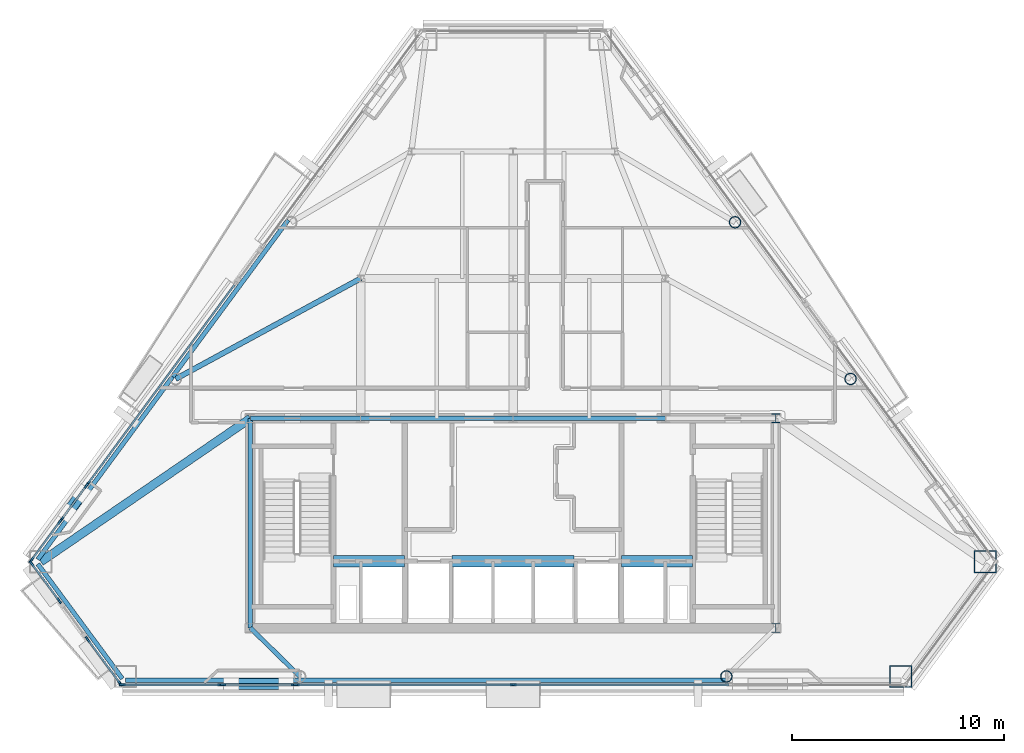
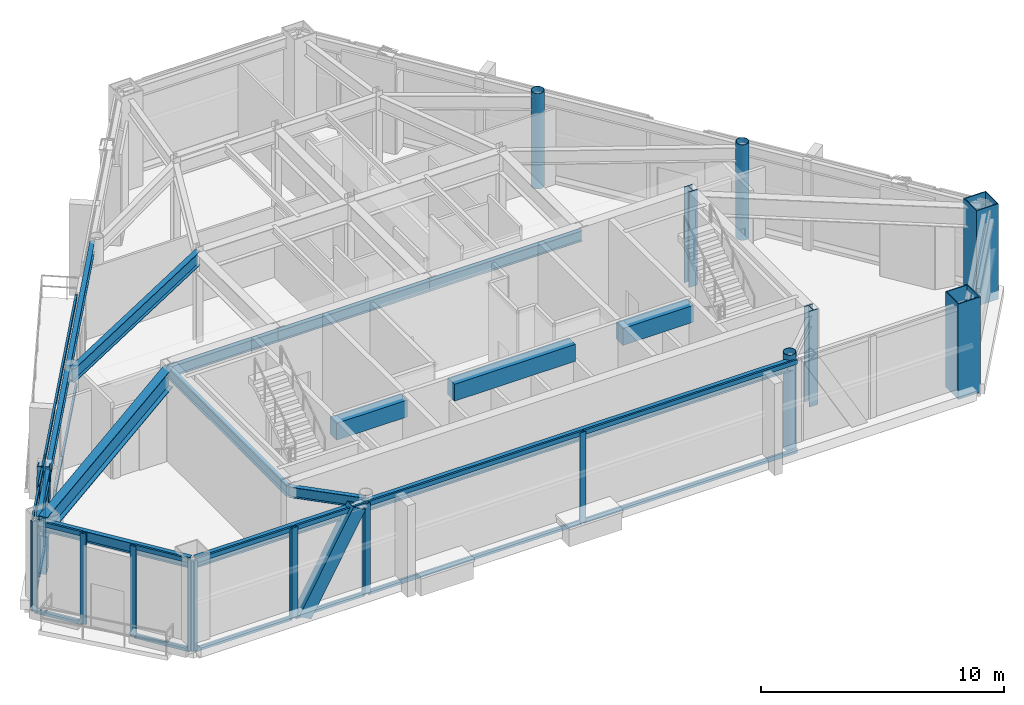
# One storey, part 2 of 10: 35 members, 15 beams, 7 columns, 8 elements without a shape of their own.
"""IFC4 building model written with IfcOpenShell, lengths in metres."""

from ifc_helpers import new_model, si_unit, direction, frame, origin, origin_2d, place, context, subcontext, project, spatial, rectangle, hollow_rectangle, hollow_circle, i_section, extrude, material, layer, layer_set, material_profile, profile_set, type_object, element, aggregate, save


model = new_model("IFC4")

# Units and contexts
model_context = context("Model", 3, precision=1e-05, world=origin(), true_north=direction((0.0, 1.0)))
body_context = subcontext(model_context, "Body", "Model", "MODEL_VIEW")
ifc_project = project(units=[si_unit("LENGTHUNIT", "METRE"), si_unit("AREAUNIT", "SQUARE_METRE"), si_unit("VOLUMEUNIT", "CUBIC_METRE"), si_unit("PLANEANGLEUNIT", "RADIAN"), si_unit("MASSUNIT", "GRAM", prefix="KILO")], contexts=[model_context])

# Site, building, storey
site_placement = place(None, origin())
site = spatial("IfcSite", under=ifc_project, at=site_placement, CompositionType="ELEMENT")
building_placement = place(site_placement, origin())
building = spatial("IfcBuilding", under=site, at=building_placement, Name="Talgorran Terracotta Tower", CompositionType="ELEMENT")
storey_placement = place(building_placement, frame((0.0, 0.0, 173.699951171875)))
storey = spatial("IfcBuildingStorey", under=building, at=storey_placement, Name="L45", CompositionType="ELEMENT", Elevation=173.699951171875)

# Columns
ifc_material_1 = material(Name="Steel S355 (300PLUS)", Category="steel")
ifc_material_profile_1 = material_profile(ifc_material_1, i_section(OverallWidth=0.39990234375, OverallDepth=0.43994140625, WebThickness=0.028076171875, FlangeThickness=0.0400390625, at=origin_2d()), Name="400WC328")
ifc_profile_set_1 = profile_set([ifc_material_profile_1], Name="Steel S355 (300PLUS)")
column_type_1 = type_object("IfcColumnType", Name="COL_400WC328", PredefinedType="COLUMN", material=ifc_profile_set_1)
for number, where, z_axis, x_axis, name in (
    (1, (12.39990234375, -14.10009765625, 0.0), (0.0, 0.0, 1.0), (1.0, 0.0, 0.0), "L45 Core Boundary Column CC2"),
    (2, (12.39990234375, -4.199951171875, 0.0), (0.0, 0.0, 1.0), (1.0, 0.0, 0.0), "L45 Core Boundary Column CC3"),
):
    element("IfcColumn", number, at=place(storey_placement, frame(where, z_axis=z_axis, x_axis=x_axis)), inside=storey, type_object=column_type_1, Name=name, PredefinedType="COLUMN", context=body_context, shape_type="SweptSolid", body=[
        extrude(i_section(OverallWidth=0.39990234375, OverallDepth=0.43994140625, WebThickness=0.028076171875, FlangeThickness=0.0400390625, at=origin_2d()), origin(), (0.0, 0.0, 1.0), 4.800048828125),
    ])
ifc_material_2 = material(Name="Steel Grade 350 (350L0)", Category="steel")
ifc_material_profile_2 = material_profile(ifc_material_2, hollow_rectangle(XDim=1.050048828125, YDim=1.050048828125, WallThickness=0.044921875, at=origin_2d()), Name="CFT1050X1050X45")
ifc_profile_set_2 = profile_set([ifc_material_profile_2], Name="Steel Grade 350 (350L0)")
column_type_2 = type_object("IfcColumnType", Name="COL_CFT_1050", PredefinedType="COLUMN", material=ifc_profile_set_2)
for number, where, z_axis, x_axis, name in (
    (3, (18.30078125, -16.385498046875, 0.0), (0.0, 0.0, 1.0), (1.0, 0.0, 0.0), "L45 Corner CFT Mega-Column MC3"),
    (4, (22.2939453125, -10.97021484375, 0.0), (0.0, 0.0, 1.0), (1.0, 0.0, 0.0), "L45 Corner CFT Mega-Column MC4"),
):
    element("IfcColumn", number, at=place(storey_placement, frame(where, z_axis=z_axis, x_axis=x_axis)), inside=storey, type_object=column_type_2, Name=name, PredefinedType="COLUMN", context=body_context, shape_type="SweptSolid", body=[
        extrude(hollow_rectangle(XDim=1.050048828125, YDim=1.050048828125, WallThickness=0.044921875, at=origin_2d()), origin(), (0.0, 0.0, 1.0), 4.800048828125),
    ])
ifc_material_profile_3 = material_profile(ifc_material_2, hollow_circle(Radius=0.27490234375, WallThickness=0.02392578125, at=origin_2d()), Name="CHS550X24")
ifc_profile_set_3 = profile_set([ifc_material_profile_3], Name="Steel Grade 350 (350L0)")
column_type_3 = type_object("IfcColumnType", Name="COL_CHS_550", PredefinedType="COLUMN", material=ifc_profile_set_3)
for number, where, z_axis, x_axis, name in (
    (5, (10.0654296875, -16.385498046875, 0.0), (0.0, 0.0, 1.0), (1.0, 0.0, 0.0), "L45 Facet Perimeter Column FC2"),
    (6, (15.930908203125, -2.34130859375, 0.0), (0.0, 0.0, 1.0), (1.0, 0.0, 0.0), "L45 Facet Perimeter Column FC3"),
    (7, (10.47705078125, 5.0546875, 0.0), (0.0, 0.0, 1.0), (1.0, 0.0, 0.0), "L45 Facet Perimeter Column FC4"),
):
    element("IfcColumn", number, at=place(storey_placement, frame(where, z_axis=z_axis, x_axis=x_axis)), inside=storey, type_object=column_type_3, Name=name, PredefinedType="COLUMN", context=body_context, shape_type="SweptSolid", body=[
        extrude(hollow_circle(Radius=0.27490234375, WallThickness=0.02392578125, at=origin_2d()), origin(), (0.0, 0.0, 1.0), 4.800048828125),
    ])

# Beams
ifc_material_profile_4 = material_profile(ifc_material_2, i_section(OverallWidth=0.39990234375, OverallDepth=1.0, WebThickness=0.01611328125, FlangeThickness=0.031005859375, at=origin_2d()), Name="1000WB296")
ifc_profile_set_4 = profile_set([ifc_material_profile_4], Name="Steel Grade 350 (350L0)")
beam_type_1 = type_object("IfcBeamType", Name="BM_1000WB296", PredefinedType="BEAM", material=ifc_profile_set_4)
beam_1_placement = place(storey_placement, frame((-12.39990234375, -4.199951171875, 4.050048828125), z_axis=(-0.82528178588, -0.564721147023, 0.0), x_axis=(0.564721147023, -0.82528178588, 0.0)))
element("IfcBeam", 8, at=beam_1_placement, inside=storey, type_object=beam_type_1, Name="L45 Floor Girder G17", PredefinedType="BEAM", context=body_context, shape_type="SweptSolid", body=[
    extrude(i_section(OverallWidth=0.39990234375, OverallDepth=1.0, WebThickness=0.01611328125, FlangeThickness=0.031005859375, at=origin_2d()), origin(), (0.0, 0.0, 1.0), 11.98876953125),
])
ifc_material_profile_5 = material_profile(ifc_material_1, i_section(OverallWidth=0.25, OverallDepth=0.699951171875, WebThickness=0.011962890625, FlangeThickness=0.02392578125, at=origin_2d()), Name="700WB150")
ifc_profile_set_5 = profile_set([ifc_material_profile_5], Name="Steel S355 (300PLUS)")
beam_type_2 = type_object("IfcBeamType", Name="BM_700WB150", PredefinedType="BEAM", material=ifc_profile_set_5)
beam_2_placement = place(storey_placement, frame((-7.199951171875, 2.39990234375, 4.199951171875), z_axis=(-0.878788070387, -0.477212245594, 0.0), x_axis=(0.477212245594, -0.878788070387, 0.0)))
element("IfcBeam", 9, at=beam_2_placement, inside=storey, type_object=beam_type_2, Name="L45 Floor Girder G06", PredefinedType="BEAM", context=body_context, shape_type="SweptSolid", body=[
    extrude(i_section(OverallWidth=0.25, OverallDepth=0.699951171875, WebThickness=0.011962890625, FlangeThickness=0.02392578125, at=origin_2d()), origin(), (0.0, 0.0, 1.0), 9.935302734375),
])
ifc_material_3 = material(Name="Concrete C50/60", Category="concrete")
ifc_material_profile_6 = material_profile(ifc_material_3, rectangle(XDim=0.550048828125, YDim=0.85009765625, at=origin_2d()), Name="RCCB550X850")
ifc_profile_set_6 = profile_set([ifc_material_profile_6], Name="Concrete C50/60")
beam_type_3 = type_object("IfcBeamType", Name="BM_CB_550X850", PredefinedType="LINTEL", material=ifc_profile_set_6)
beam_3_placement = place(storey_placement, frame((-8.47998046875, -10.949951171875, 4.125), z_axis=(1.0, 0.0, 0.0), x_axis=(0.0, 1.0, 0.0)))
element("IfcBeam", 10, at=beam_3_placement, inside=storey, type_object=beam_type_3, Name="L45 Core Shear-Wall Coupling Beam CB1", PredefinedType="LINTEL", context=body_context, shape_type="SweptSolid", body=[
    extrude(rectangle(XDim=0.550048828125, YDim=0.85009765625, at=origin_2d()), origin(), (0.0, 0.0, 1.0), 3.35986328125),
])
beam_4_placement = place(storey_placement, frame((-2.8798828125, -10.949951171875, 4.125), z_axis=(1.0, 0.0, 0.0), x_axis=(0.0, 1.0, 0.0)))
element("IfcBeam", 11, at=beam_4_placement, inside=storey, type_object=beam_type_3, Name="L45 Core Shear-Wall Coupling Beam CB2", PredefinedType="LINTEL", context=body_context, shape_type="SweptSolid", body=[
    extrude(rectangle(XDim=0.550048828125, YDim=0.85009765625, at=origin_2d()), origin(), (0.0, 0.0, 1.0), 5.759765625),
])
beam_5_placement = place(storey_placement, frame((5.1201171875, -10.949951171875, 4.125), z_axis=(1.0, 0.0, 0.0), x_axis=(0.0, 1.0, 0.0)))
element("IfcBeam", 12, at=beam_5_placement, inside=storey, type_object=beam_type_3, Name="L45 Core Shear-Wall Coupling Beam CB3", PredefinedType="LINTEL", context=body_context, shape_type="SweptSolid", body=[
    extrude(rectangle(XDim=0.550048828125, YDim=0.85009765625, at=origin_2d()), origin(), (0.0, 0.0, 1.0), 3.35986328125),
])
ifc_material_profile_7 = material_profile(ifc_material_1, i_section(OverallWidth=0.209228515625, OverallDepth=0.532958984375, WebThickness=0.01025390625, FlangeThickness=0.015625, at=origin_2d()), Name="530UB92.4")
ifc_profile_set_7 = profile_set([ifc_material_profile_7], Name="Steel S355 (300PLUS)")
beam_type_4 = type_object("IfcBeamType", Name="BM_SP_530UB92", PredefinedType="SPANDREL", material=ifc_profile_set_7)
beam_6_placement = place(storey_placement, frame((-22.438720703125, -11.0771484375, 4.283447265625), z_axis=(0.593483681594, -0.804846022343, 0.0), x_axis=(0.804846022343, 0.593483681594, 0.0)))
element("IfcBeam", 13, at=beam_6_placement, inside=storey, type_object=beam_type_4, Name="L45 Perimeter Spandrel Beam MC1-MC2", PredefinedType="SPANDREL", context=body_context, shape_type="SweptSolid", body=[
    extrude(i_section(OverallWidth=0.209228515625, OverallDepth=0.532958984375, WebThickness=0.01025390625, FlangeThickness=0.015625, at=origin_2d()), origin(), (0.0, 0.0, 1.0), 6.728271484375),
])
beam_7_placement = place(storey_placement, frame((-18.30078125, -16.565673828125, 4.283447265625), z_axis=(1.0, 0.0, 0.0), x_axis=(0.0, 1.0, 0.0)))
element("IfcBeam", 14, at=beam_7_placement, inside=storey, type_object=beam_type_4, Name="L45 Perimeter Spandrel Beam MC2-FC1", PredefinedType="SPANDREL", context=body_context, shape_type="SweptSolid", body=[
    extrude(i_section(OverallWidth=0.209228515625, OverallDepth=0.532958984375, WebThickness=0.01025390625, FlangeThickness=0.015625, at=origin_2d()), origin(), (0.0, 0.0, 1.0), 8.2353515625),
])
beam_8_placement = place(storey_placement, frame((-10.0654296875, -16.565673828125, 4.283447265625), z_axis=(1.0, 0.0, 0.0), x_axis=(0.0, 1.0, 0.0)))
element("IfcBeam", 15, at=beam_8_placement, inside=storey, type_object=beam_type_4, Name="L45 Perimeter Spandrel Beam FC1-FC2", PredefinedType="SPANDREL", context=body_context, shape_type="SweptSolid", body=[
    extrude(i_section(OverallWidth=0.209228515625, OverallDepth=0.532958984375, WebThickness=0.01025390625, FlangeThickness=0.015625, at=origin_2d()), origin(), (0.0, 0.0, 1.0), 20.130859375),
])
beam_9_placement = place(storey_placement, frame((-10.621826171875, 5.16162109375, 4.283447265625), z_axis=(-0.593498050336, -0.804835426809, 0.0), x_axis=(0.804835426809, -0.593498050336, 0.0)))
element("IfcBeam", 16, at=beam_9_placement, inside=storey, type_object=beam_type_4, Name="L45 Perimeter Spandrel Beam FC5-FC6", PredefinedType="SPANDREL", context=body_context, shape_type="SweptSolid", body=[
    extrude(i_section(OverallWidth=0.209228515625, OverallDepth=0.532958984375, WebThickness=0.01025390625, FlangeThickness=0.015625, at=origin_2d()), origin(), (0.0, 0.0, 1.0), 9.189697265625),
])
beam_10_placement = place(storey_placement, frame((-16.075927734375, -2.234619140625, 4.283447265625), z_axis=(-0.593480195487, -0.804848592944, 0.0), x_axis=(0.804848592944, -0.593480195487, 0.0)))
element("IfcBeam", 17, at=beam_10_placement, inside=storey, type_object=beam_type_4, Name="L45 Perimeter Spandrel Beam FC6-MC1", PredefinedType="SPANDREL", context=body_context, shape_type="SweptSolid", body=[
    extrude(i_section(OverallWidth=0.209228515625, OverallDepth=0.532958984375, WebThickness=0.01025390625, FlangeThickness=0.015625, at=origin_2d()), origin(), (0.0, 0.0, 1.0), 10.72119140625),
])
beam_11_placement = place(storey_placement, frame((-10.0654296875, -16.385498046875, 4.283447265625), z_axis=(-0.714577354867, 0.699556433686, 0.0), x_axis=(-0.699556433686, -0.714577354867, 0.0)))
element("IfcBeam", 18, at=beam_11_placement, inside=storey, type_object=beam_type_4, Name="L45 South-West Core Tie Beam", PredefinedType="SPANDREL", context=body_context, shape_type="SweptSolid", body=[
    extrude(i_section(OverallWidth=0.209228515625, OverallDepth=0.532958984375, WebThickness=0.01025390625, FlangeThickness=0.015625, at=origin_2d()), origin(), (0.0, 0.0, 1.0), 3.266845703125),
])
beam_12_placement = place(storey_placement, frame((-12.39990234375, -14.10009765625, 4.283447265625), z_axis=(0.0, 1.0, 0.0), x_axis=(-1.0, 0.0, 0.0)))
element("IfcBeam", 19, at=beam_12_placement, inside=storey, type_object=beam_type_4, Name="L45 Core Frame Beam CFW", PredefinedType="SPANDREL", context=body_context, shape_type="SweptSolid", body=[
    extrude(i_section(OverallWidth=0.209228515625, OverallDepth=0.532958984375, WebThickness=0.01025390625, FlangeThickness=0.015625, at=origin_2d()), origin(), (0.0, 0.0, 1.0), 9.900146484375),
])
beam_13_placement = place(storey_placement, frame((-12.39990234375, -4.199951171875, 4.283447265625), z_axis=(1.0, 0.0, 0.0), x_axis=(0.0, 1.0, 0.0)))
element("IfcBeam", 20, at=beam_13_placement, inside=storey, type_object=beam_type_4, Name="L45 Core Frame Beam CFN1", PredefinedType="SPANDREL", context=body_context, shape_type="SweptSolid", body=[
    extrude(i_section(OverallWidth=0.209228515625, OverallDepth=0.532958984375, WebThickness=0.01025390625, FlangeThickness=0.015625, at=origin_2d()), origin(), (0.0, 0.0, 1.0), 5.199951171875),
])
for number, where, z_axis, x_axis, name in (
    (21, (-7.199951171875, -4.199951171875, 4.283447265625), (1.0, 0.0, 0.0), (0.0, 1.0, 0.0), "L45 Core Frame Beam CFN2"),
    (22, (0.0, -4.199951171875, 4.283447265625), (1.0, 0.0, 0.0), (0.0, 1.0, 0.0), "L45 Core Frame Beam CFN3"),
):
    element("IfcBeam", number, at=place(storey_placement, frame(where, z_axis=z_axis, x_axis=x_axis)), inside=storey, type_object=beam_type_4, Name=name, PredefinedType="SPANDREL", context=body_context, shape_type="SweptSolid", body=[
        extrude(i_section(OverallWidth=0.209228515625, OverallDepth=0.532958984375, WebThickness=0.01025390625, FlangeThickness=0.015625, at=origin_2d()), origin(), (0.0, 0.0, 1.0), 7.199951171875),
    ])

# Members
ifc_material_profile_8 = material_profile(ifc_material_2, hollow_rectangle(XDim=0.52001953125, YDim=0.659912109375, WallThickness=0.034912109375, at=origin_2d()), Name="WBOX660X520X35")
ifc_profile_set_8 = profile_set([ifc_material_profile_8], Name="Steel Grade 350 (350L0)")
member_type_1 = type_object("IfcMemberType", Name="MB_MEGA_660", PredefinedType="BRACE", material=ifc_profile_set_8)
member_1_placement = place(storey_placement, frame((-13.307373046875, -16.74560546875, -0.02490234375), z_axis=(0.49025904333, 0.0, 0.871576772541), x_axis=(0.0, 1.0, 0.0)))
element("IfcMember", 23, at=member_1_placement, inside=storey, type_object=member_type_1, Name="L45 Exterior Face Mega-Brace MB-3 (SWF)", PredefinedType="BRACE", context=body_context, shape_type="SweptSolid", body=[
    extrude(hollow_rectangle(XDim=0.52001953125, YDim=0.659912109375, WallThickness=0.034912109375, at=origin_2d()), origin(), (0.0, 0.0, 1.0), 5.277587890625),
])
member_2_placement = place(storey_placement, frame((-21.044189453125, -8.6689453125, -0.02490234375), z_axis=(0.143917953916, 0.195203206904, 0.970146035685), x_axis=(-0.804890374823, 0.593423528787, 0.0)))
element("IfcMember", 24, at=member_2_placement, inside=storey, type_object=member_type_1, Name="L45 Exterior Face Mega-Brace MB-3 (NWL)", PredefinedType="BRACE", context=body_context, shape_type="SweptSolid", body=[
    extrude(hollow_rectangle(XDim=0.52001953125, YDim=0.659912109375, WallThickness=0.034912109375, at=origin_2d()), origin(), (0.0, 0.0, 1.0), 4.741455078125),
])

# Curtain wall, members
ifc_material_4 = material(Name="Structural Laminated Low-Iron")
ifc_layer = layer(ifc_material_4, 0.239990234375, Name="CW_SYS5_SKY_OBS")
ifc_layer_set = layer_set([ifc_layer], Name="Structural Laminated Low-Iron")
curtain_wall_type = type_object("IfcCurtainWallType", Name="CW_SYS5_SKY_OBS", PredefinedType="NOTDEFINED", material=ifc_layer_set)
curtain_wall_1_placement = place(storey_placement, origin())
curtain_wall_1 = element("IfcCurtainWall", 25, at=curtain_wall_1_placement, inside=storey, type_object=curtain_wall_type, Name="CW-L45-F10", PredefinedType="NOTDEFINED")
ifc_material_5 = material(Name="Architectural Aluminium 6063-T6", Category="aluminium")
ifc_material_profile_9 = material_profile(ifc_material_5, rectangle(XDim=0.090087890625, YDim=0.280029296875, at=origin_2d()), Name="CWM90X280")
ifc_profile_set_9 = profile_set([ifc_material_profile_9], Name="Architectural Aluminium 6063-T6")
member_type_2 = type_object("IfcMemberType", Name="MUL_90X280", PredefinedType="MULLION", material=ifc_profile_set_9)
member_3_placement = place(storey_placement, frame((-22.740478515625, -11.038818359375, 0.0), z_axis=(0.0, 0.0, 1.0), x_axis=(0.804829639304, 0.593505898621, 0.0)))
member_3 = element("IfcMember", 26, at=member_3_placement, type_object=member_type_2, Name="CW-L45-10 mullion 1", PredefinedType="MULLION", context=body_context, shape_type="SweptSolid", body=[
    extrude(rectangle(XDim=0.090087890625, YDim=0.280029296875, at=origin_2d()), origin(), (0.0, 0.0, 1.0), 4.550048828125),
])
member_4_placement = place(storey_placement, frame((-21.428466796875, -12.81787109375, 0.0), z_axis=(0.0, 0.0, 1.0), x_axis=(0.804829639304, 0.593505898621, 0.0)))
member_4 = element("IfcMember", 27, at=member_4_placement, type_object=member_type_2, Name="CW-L45-10 mullion 2", PredefinedType="MULLION", context=body_context, shape_type="SweptSolid", body=[
    extrude(rectangle(XDim=0.090087890625, YDim=0.280029296875, at=origin_2d()), origin(), (0.0, 0.0, 1.0), 4.550048828125),
])

curtain_wall_2_placement = place(storey_placement, origin())
curtain_wall_2 = element("IfcCurtainWall", 28, at=curtain_wall_2_placement, inside=storey, type_object=curtain_wall_type, Name="CW-L45-F11", PredefinedType="NOTDEFINED")
member_5_placement = place(storey_placement, frame((-20.093017578125, -14.62890625, 0.0), z_axis=(0.0, 0.0, 1.0), x_axis=(0.804823592515, 0.593514098343, 0.0)))
member_5 = element("IfcMember", 29, at=member_5_placement, type_object=member_type_2, Name="CW-L45-11 mullion 1", PredefinedType="MULLION", context=body_context, shape_type="SweptSolid", body=[
    extrude(rectangle(XDim=0.090087890625, YDim=0.280029296875, at=origin_2d()), origin(), (0.0, 0.0, 1.0), 4.550048828125),
])
member_6_placement = place(storey_placement, frame((-18.55322265625, -16.71728515625, 0.0), z_axis=(0.0, 0.0, 1.0), x_axis=(0.804823592515, 0.593514098343, 0.0)))
member_6 = element("IfcMember", 30, at=member_6_placement, type_object=member_type_2, Name="CW-L45-11 mullion 2", PredefinedType="MULLION", context=body_context, shape_type="SweptSolid", body=[
    extrude(rectangle(XDim=0.090087890625, YDim=0.280029296875, at=origin_2d()), origin(), (0.0, 0.0, 1.0), 4.550048828125),
])

curtain_wall_3_placement = place(storey_placement, origin())
curtain_wall_3 = element("IfcCurtainWall", 31, at=curtain_wall_3_placement, inside=storey, type_object=curtain_wall_type, Name="CW-L45-F1", PredefinedType="NOTDEFINED")
member_7_placement = place(storey_placement, frame((-18.457763671875, -16.78564453125, 0.0), z_axis=(0.0, 0.0, 1.0), x_axis=(0.0, 1.0, 0.0)))
member_7 = element("IfcMember", 32, at=member_7_placement, type_object=member_type_2, Name="CW-L45-1 mullion 1", PredefinedType="MULLION", context=body_context, shape_type="SweptSolid", body=[
    extrude(rectangle(XDim=0.090087890625, YDim=0.280029296875, at=origin_2d()), origin(), (0.0, 0.0, 1.0), 4.550048828125),
])
member_8_placement = place(storey_placement, frame((-13.794921875, -16.78564453125, 0.0), z_axis=(0.0, 0.0, 1.0), x_axis=(0.0, 1.0, 0.0)))
member_8 = element("IfcMember", 33, at=member_8_placement, type_object=member_type_2, Name="CW-L45-1 mullion 2", PredefinedType="MULLION", context=body_context, shape_type="SweptSolid", body=[
    extrude(rectangle(XDim=0.090087890625, YDim=0.280029296875, at=origin_2d()), origin(), (0.0, 0.0, 1.0), 4.550048828125),
])

curtain_wall_4_placement = place(storey_placement, origin())
curtain_wall_4 = element("IfcCurtainWall", 34, at=curtain_wall_4_placement, inside=storey, type_object=curtain_wall_type, Name="CW-L45-F1B", PredefinedType="NOTDEFINED")
member_9_placement = place(storey_placement, frame((-13.695068359375, -16.78564453125, 0.0), z_axis=(0.0, 0.0, 1.0), x_axis=(0.0, 1.0, 0.0)))
member_9 = element("IfcMember", 35, at=member_9_placement, type_object=member_type_2, Name="CW-L45-1B mullion 1", PredefinedType="MULLION", context=body_context, shape_type="SweptSolid", body=[
    extrude(rectangle(XDim=0.090087890625, YDim=0.280029296875, at=origin_2d()), origin(), (0.0, 0.0, 1.0), 4.550048828125),
])
member_10_placement = place(storey_placement, frame((-10.332275390625, -16.78564453125, 0.0), z_axis=(0.0, 0.0, 1.0), x_axis=(0.0, 1.0, 0.0)))
member_10 = element("IfcMember", 36, at=member_10_placement, type_object=member_type_2, Name="CW-L45-1B mullion 2", PredefinedType="MULLION", context=body_context, shape_type="SweptSolid", body=[
    extrude(rectangle(XDim=0.090087890625, YDim=0.280029296875, at=origin_2d()), origin(), (0.0, 0.0, 1.0), 4.550048828125),
])

curtain_wall_5_placement = place(storey_placement, origin())
curtain_wall_5 = element("IfcCurtainWall", 37, at=curtain_wall_5_placement, inside=storey, type_object=curtain_wall_type, Name="CW-L45-F1C", PredefinedType="NOTDEFINED")
member_11_placement = place(storey_placement, frame((-10.232421875, -16.78564453125, 0.0), z_axis=(0.0, 0.0, 1.0), x_axis=(0.0, 1.0, 0.0)))
member_11 = element("IfcMember", 38, at=member_11_placement, type_object=member_type_2, Name="CW-L45-1C mullion 1", PredefinedType="MULLION", context=body_context, shape_type="SweptSolid", body=[
    extrude(rectangle(XDim=0.090087890625, YDim=0.280029296875, at=origin_2d()), origin(), (0.0, 0.0, 1.0), 4.550048828125),
])
member_12_placement = place(storey_placement, frame((0.0, -16.78564453125, 0.0), z_axis=(0.0, 0.0, 1.0), x_axis=(0.0, 1.0, 0.0)))
member_12 = element("IfcMember", 39, at=member_12_placement, type_object=member_type_2, Name="CW-L45-1C mullion 2", PredefinedType="MULLION", context=body_context, shape_type="SweptSolid", body=[
    extrude(rectangle(XDim=0.090087890625, YDim=0.280029296875, at=origin_2d()), origin(), (0.0, 0.0, 1.0), 4.550048828125),
])

# Curtain wall, member
curtain_wall_6_placement = place(storey_placement, origin())
curtain_wall_6 = element("IfcCurtainWall", 40, at=curtain_wall_6_placement, inside=storey, type_object=curtain_wall_type, Name="CW-L45-F61", PredefinedType="NOTDEFINED")
member_13_placement = place(storey_placement, frame((-20.085205078125, -7.301025390625, 0.0), z_axis=(0.0, 0.0, 1.0), x_axis=(0.804838499325, -0.593493883712, 0.0)))
member_13 = element("IfcMember", 41, at=member_13_placement, type_object=member_type_2, Name="CW-L45-61 mullion 2", PredefinedType="MULLION", context=body_context, shape_type="SweptSolid", body=[
    extrude(rectangle(XDim=0.090087890625, YDim=0.280029296875, at=origin_2d()), origin(), (0.0, 0.0, 1.0), 4.550048828125),
])

# Curtain wall, members
curtain_wall_7_placement = place(storey_placement, origin())
curtain_wall_7 = element("IfcCurtainWall", 42, at=curtain_wall_7_placement, inside=storey, type_object=curtain_wall_type, Name="CW-L45-F61B", PredefinedType="NOTDEFINED")
member_14_placement = place(storey_placement, frame((-20.14453125, -7.381591796875, 0.0), z_axis=(0.0, 0.0, 1.0), x_axis=(0.804831038132, -0.593504001722, 0.0)))
member_14 = element("IfcMember", 43, at=member_14_placement, type_object=member_type_2, Name="CW-L45-61B mullion 1", PredefinedType="MULLION", context=body_context, shape_type="SweptSolid", body=[
    extrude(rectangle(XDim=0.090087890625, YDim=0.280029296875, at=origin_2d()), origin(), (0.0, 0.0, 1.0), 4.550048828125),
])
member_15_placement = place(storey_placement, frame((-21.32568359375, -8.9833984375, 0.0), z_axis=(0.0, 0.0, 1.0), x_axis=(0.804831038132, -0.593504001722, 0.0)))
member_15 = element("IfcMember", 44, at=member_15_placement, type_object=member_type_2, Name="CW-L45-61B mullion 2", PredefinedType="MULLION", context=body_context, shape_type="SweptSolid", body=[
    extrude(rectangle(XDim=0.090087890625, YDim=0.280029296875, at=origin_2d()), origin(), (0.0, 0.0, 1.0), 4.550048828125),
])

curtain_wall_8_placement = place(storey_placement, origin())
curtain_wall_8 = element("IfcCurtainWall", 45, at=curtain_wall_8_placement, inside=storey, type_object=curtain_wall_type, Name="CW-L45-F61C", PredefinedType="NOTDEFINED")
member_16_placement = place(storey_placement, frame((-21.385009765625, -9.06396484375, 0.0), z_axis=(0.0, 0.0, 1.0), x_axis=(0.804827057138, -0.593509400177, 0.0)))
member_16 = element("IfcMember", 46, at=member_16_placement, type_object=member_type_2, Name="CW-L45-61C mullion 1", PredefinedType="MULLION", context=body_context, shape_type="SweptSolid", body=[
    extrude(rectangle(XDim=0.090087890625, YDim=0.280029296875, at=origin_2d()), origin(), (0.0, 0.0, 1.0), 4.550048828125),
])
member_17_placement = place(storey_placement, frame((-22.740478515625, -10.90185546875, 0.0), z_axis=(0.0, 0.0, 1.0), x_axis=(0.804827057138, -0.593509400177, 0.0)))
member_17 = element("IfcMember", 47, at=member_17_placement, type_object=member_type_2, Name="CW-L45-61C mullion 2", PredefinedType="MULLION", context=body_context, shape_type="SweptSolid", body=[
    extrude(rectangle(XDim=0.090087890625, YDim=0.280029296875, at=origin_2d()), origin(), (0.0, 0.0, 1.0), 4.550048828125),
])

# Member
ifc_material_profile_10 = material_profile(ifc_material_5, rectangle(XDim=0.090087890625, YDim=0.22509765625, at=origin_2d()), Name="CWT90X225")
ifc_profile_set_10 = profile_set([ifc_material_profile_10], Name="Architectural Aluminium 6063-T6")
member_type_3 = type_object("IfcMemberType", Name="TRN_90X225", PredefinedType="USERDEFINED", material=ifc_profile_set_10)
member_18_placement = place(storey_placement, frame((-22.7138671875, -11.074951171875, 0.045166015625), z_axis=(0.593552397592, -0.804795347472, 0.0), x_axis=(0.804795347472, 0.593552397592, 0.0)))
member_18 = element("IfcMember", 48, at=member_18_placement, type_object=member_type_3, Name="CW-L45-10 transom 1.1", ObjectType="TRANSOM", PredefinedType="USERDEFINED", context=body_context, shape_type="SweptSolid", body=[
    extrude(rectangle(XDim=0.090087890625, YDim=0.22509765625, at=origin_2d()), origin(), (0.0, 0.0, 1.0), 2.120849609375),
])

member_19_placement = place(storey_placement, frame((-22.7138671875, -11.074951171875, 4.505126953125), z_axis=(0.593552397592, -0.804795347472, 0.0), x_axis=(0.804795347472, 0.593552397592, 0.0)))
member_19 = element("IfcMember", 49, at=member_19_placement, type_object=member_type_3, Name="CW-L45-10 transom 1.2", ObjectType="TRANSOM", PredefinedType="USERDEFINED", context=body_context, shape_type="SweptSolid", body=[
    extrude(rectangle(XDim=0.090087890625, YDim=0.22509765625, at=origin_2d()), origin(), (0.0, 0.0, 1.0), 2.120849609375),
])

aggregate(curtain_wall_1, [member_3, member_4, member_18, member_19])

member_20_placement = place(storey_placement, frame((-20.06640625, -14.6650390625, 0.045166015625), z_axis=(0.593508210403, -0.804827934521, 0.0), x_axis=(0.804827934521, 0.593508210403, 0.0)))
member_20 = element("IfcMember", 50, at=member_20_placement, type_object=member_type_3, Name="CW-L45-11 transom 1.1", ObjectType="TRANSOM", PredefinedType="USERDEFINED", context=body_context, shape_type="SweptSolid", body=[
    extrude(rectangle(XDim=0.090087890625, YDim=0.22509765625, at=origin_2d()), origin(), (0.0, 0.0, 1.0), 2.504638671875),
])

member_21_placement = place(storey_placement, frame((-20.06640625, -14.6650390625, 4.505126953125), z_axis=(0.593508210403, -0.804827934521, 0.0), x_axis=(0.804827934521, 0.593508210403, 0.0)))
member_21 = element("IfcMember", 51, at=member_21_placement, type_object=member_type_3, Name="CW-L45-11 transom 1.2", ObjectType="TRANSOM", PredefinedType="USERDEFINED", context=body_context, shape_type="SweptSolid", body=[
    extrude(rectangle(XDim=0.090087890625, YDim=0.22509765625, at=origin_2d()), origin(), (0.0, 0.0, 1.0), 2.504638671875),
])

aggregate(curtain_wall_2, [member_5, member_6, member_20, member_21])

member_22_placement = place(storey_placement, frame((-18.41259765625, -16.78564453125, 0.045166015625), z_axis=(1.0, 0.0, 0.0), x_axis=(0.0, 1.0, 0.0)))
member_22 = element("IfcMember", 52, at=member_22_placement, type_object=member_type_3, Name="CW-L45-1 transom 1.1", ObjectType="TRANSOM", PredefinedType="USERDEFINED", context=body_context, shape_type="SweptSolid", body=[
    extrude(rectangle(XDim=0.090087890625, YDim=0.22509765625, at=origin_2d()), origin(), (0.0, 0.0, 1.0), 4.572509765625),
])

member_23_placement = place(storey_placement, frame((-18.41259765625, -16.78564453125, 4.505126953125), z_axis=(1.0, 0.0, 0.0), x_axis=(0.0, 1.0, 0.0)))
member_23 = element("IfcMember", 53, at=member_23_placement, type_object=member_type_3, Name="CW-L45-1 transom 1.2", ObjectType="TRANSOM", PredefinedType="USERDEFINED", context=body_context, shape_type="SweptSolid", body=[
    extrude(rectangle(XDim=0.090087890625, YDim=0.22509765625, at=origin_2d()), origin(), (0.0, 0.0, 1.0), 4.572509765625),
])

aggregate(curtain_wall_3, [member_7, member_8, member_22, member_23])

member_24_placement = place(storey_placement, frame((-13.64990234375, -16.78564453125, 0.045166015625), z_axis=(1.0, 0.0, 0.0), x_axis=(0.0, 1.0, 0.0)))
member_24 = element("IfcMember", 54, at=member_24_placement, type_object=member_type_3, Name="CW-L45-1B transom 1.1", ObjectType="TRANSOM", PredefinedType="USERDEFINED", context=body_context, shape_type="SweptSolid", body=[
    extrude(rectangle(XDim=0.090087890625, YDim=0.22509765625, at=origin_2d()), origin(), (0.0, 0.0, 1.0), 3.272705078125),
])

member_25_placement = place(storey_placement, frame((-13.64990234375, -16.78564453125, 4.505126953125), z_axis=(1.0, 0.0, 0.0), x_axis=(0.0, 1.0, 0.0)))
member_25 = element("IfcMember", 55, at=member_25_placement, type_object=member_type_3, Name="CW-L45-1B transom 1.2", ObjectType="TRANSOM", PredefinedType="USERDEFINED", context=body_context, shape_type="SweptSolid", body=[
    extrude(rectangle(XDim=0.090087890625, YDim=0.22509765625, at=origin_2d()), origin(), (0.0, 0.0, 1.0), 3.272705078125),
])

aggregate(curtain_wall_4, [member_9, member_10, member_24, member_25])

member_26_placement = place(storey_placement, frame((-10.187255859375, -16.78564453125, 0.045166015625), z_axis=(1.0, 0.0, 0.0), x_axis=(0.0, 1.0, 0.0)))
member_26 = element("IfcMember", 56, at=member_26_placement, type_object=member_type_3, Name="CW-L45-1C transom 1.1", ObjectType="TRANSOM", PredefinedType="USERDEFINED", context=body_context, shape_type="SweptSolid", body=[
    extrude(rectangle(XDim=0.090087890625, YDim=0.22509765625, at=origin_2d()), origin(), (0.0, 0.0, 1.0), 10.142333984375),
])

member_27_placement = place(storey_placement, frame((-10.187255859375, -16.78564453125, 4.505126953125), z_axis=(1.0, 0.0, 0.0), x_axis=(0.0, 1.0, 0.0)))
member_27 = element("IfcMember", 57, at=member_27_placement, type_object=member_type_3, Name="CW-L45-1C transom 1.2", ObjectType="TRANSOM", PredefinedType="USERDEFINED", context=body_context, shape_type="SweptSolid", body=[
    extrude(rectangle(XDim=0.090087890625, YDim=0.22509765625, at=origin_2d()), origin(), (0.0, 0.0, 1.0), 10.142333984375),
])

member_28_placement = place(storey_placement, frame((0.044921875, -16.78564453125, 0.045166015625), z_axis=(1.0, 0.0, 0.0), x_axis=(0.0, 1.0, 0.0)))
member_28 = element("IfcMember", 58, at=member_28_placement, type_object=member_type_3, Name="CW-L45-1C transom 2.1", ObjectType="TRANSOM", PredefinedType="USERDEFINED", context=body_context, shape_type="SweptSolid", body=[
    extrude(rectangle(XDim=0.090087890625, YDim=0.22509765625, at=origin_2d()), origin(), (0.0, 0.0, 1.0), 10.142333984375),
])

member_29_placement = place(storey_placement, frame((0.044921875, -16.78564453125, 4.505126953125), z_axis=(1.0, 0.0, 0.0), x_axis=(0.0, 1.0, 0.0)))
member_29 = element("IfcMember", 59, at=member_29_placement, type_object=member_type_3, Name="CW-L45-1C transom 2.2", ObjectType="TRANSOM", PredefinedType="USERDEFINED", context=body_context, shape_type="SweptSolid", body=[
    extrude(rectangle(XDim=0.090087890625, YDim=0.22509765625, at=origin_2d()), origin(), (0.0, 0.0, 1.0), 10.142333984375),
])

aggregate(curtain_wall_5, [member_11, member_12, member_26, member_27, member_28, member_29])

member_30_placement = place(storey_placement, frame((-13.156005859375, 2.095947265625, 0.045166015625), z_axis=(-0.593484699838, -0.804845271502, 0.0), x_axis=(0.804845271502, -0.593484699838, 0.0)))
member_30 = element("IfcMember", 60, at=member_30_placement, type_object=member_type_3, Name="CW-L45-61 transom 1.1", ObjectType="TRANSOM", PredefinedType="USERDEFINED", context=body_context, shape_type="SweptSolid", body=[
    extrude(rectangle(XDim=0.090087890625, YDim=0.22509765625, at=origin_2d()), origin(), (0.0, 0.0, 1.0), 11.630615234375),
])

member_31_placement = place(storey_placement, frame((-13.156005859375, 2.095947265625, 4.505126953125), z_axis=(-0.593484699838, -0.804845271502, 0.0), x_axis=(0.804845271502, -0.593484699838, 0.0)))
member_31 = element("IfcMember", 61, at=member_31_placement, type_object=member_type_3, Name="CW-L45-61 transom 1.2", ObjectType="TRANSOM", PredefinedType="USERDEFINED", context=body_context, shape_type="SweptSolid", body=[
    extrude(rectangle(XDim=0.090087890625, YDim=0.22509765625, at=origin_2d()), origin(), (0.0, 0.0, 1.0), 11.630615234375),
])

aggregate(curtain_wall_6, [member_13, member_30, member_31])

member_32_placement = place(storey_placement, frame((-20.17138671875, -7.417724609375, 0.045166015625), z_axis=(-0.593422518851, -0.80489111942, 0.0), x_axis=(0.80489111942, -0.593422518851, 0.0)))
member_32 = element("IfcMember", 62, at=member_32_placement, type_object=member_type_3, Name="CW-L45-61B transom 1.1", ObjectType="TRANSOM", PredefinedType="USERDEFINED", context=body_context, shape_type="SweptSolid", body=[
    extrude(rectangle(XDim=0.090087890625, YDim=0.22509765625, at=origin_2d()), origin(), (0.0, 0.0, 1.0), 1.900390625),
])

member_33_placement = place(storey_placement, frame((-20.17138671875, -7.417724609375, 4.505126953125), z_axis=(-0.593422518851, -0.80489111942, 0.0), x_axis=(0.80489111942, -0.593422518851, 0.0)))
member_33 = element("IfcMember", 63, at=member_33_placement, type_object=member_type_3, Name="CW-L45-61B transom 1.2", ObjectType="TRANSOM", PredefinedType="USERDEFINED", context=body_context, shape_type="SweptSolid", body=[
    extrude(rectangle(XDim=0.090087890625, YDim=0.22509765625, at=origin_2d()), origin(), (0.0, 0.0, 1.0), 1.900390625),
])

aggregate(curtain_wall_7, [member_14, member_15, member_32, member_33])

member_34_placement = place(storey_placement, frame((-21.411865234375, -9.10009765625, 0.045166015625), z_axis=(-0.593498895069, -0.804834803889, 0.0), x_axis=(0.804834803889, -0.593498895069, 0.0)))
member_34 = element("IfcMember", 64, at=member_34_placement, type_object=member_type_3, Name="CW-L45-61C transom 1.1", ObjectType="TRANSOM", PredefinedType="USERDEFINED", context=body_context, shape_type="SweptSolid", body=[
    extrude(rectangle(XDim=0.090087890625, YDim=0.22509765625, at=origin_2d()), origin(), (0.0, 0.0, 1.0), 2.19384765625),
])

member_35_placement = place(storey_placement, frame((-21.411865234375, -9.10009765625, 4.505126953125), z_axis=(-0.593498895069, -0.804834803889, 0.0), x_axis=(0.804834803889, -0.593498895069, 0.0)))
member_35 = element("IfcMember", 65, at=member_35_placement, type_object=member_type_3, Name="CW-L45-61C transom 1.2", ObjectType="TRANSOM", PredefinedType="USERDEFINED", context=body_context, shape_type="SweptSolid", body=[
    extrude(rectangle(XDim=0.090087890625, YDim=0.22509765625, at=origin_2d()), origin(), (0.0, 0.0, 1.0), 2.19384765625),
])

aggregate(curtain_wall_8, [member_16, member_17, member_34, member_35])

save(model, "model.ifc")
